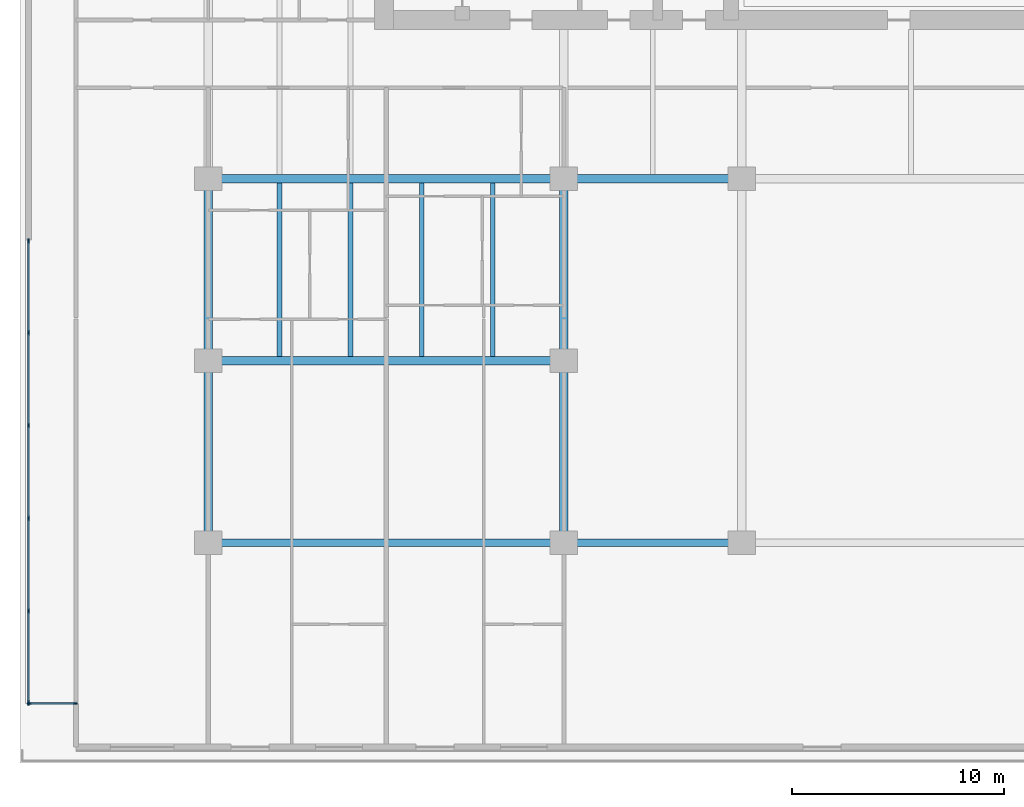
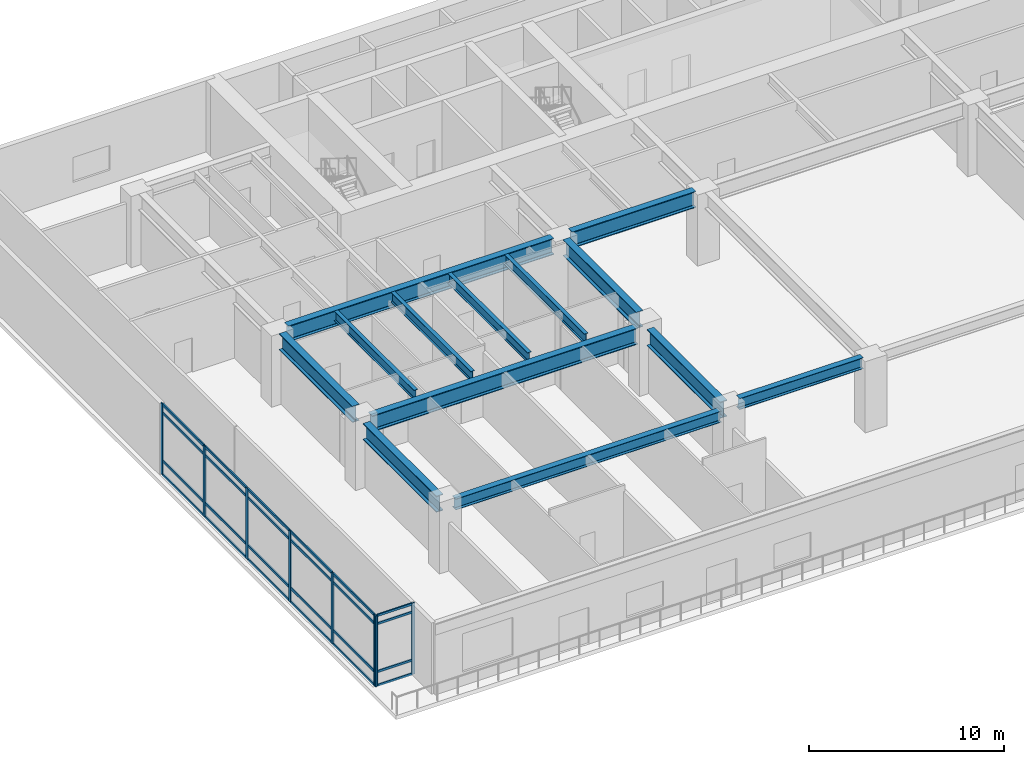
# One storey, part 2 of 13: 32 members, 13 beams, 2 elements without a shape of their own.
"""IFC4 building model written with IfcOpenShell, lengths in metres."""

from ifc_helpers import new_model, si_unit, direction, frame, origin, origin_2d, place, context, subcontext, project, spatial, rectangle, i_section, extrude, material, layer, layer_set, material_profile, profile_set, type_object, element, aggregate, save


model = new_model("IFC4")

# Units and contexts
model_context = context("Model", 3, precision=1e-05, world=origin(), true_north=direction((0.0, 1.0)))
body_context = subcontext(model_context, "Body", "Model", "MODEL_VIEW")
ifc_project = project(units=[si_unit("LENGTHUNIT", "METRE"), si_unit("AREAUNIT", "SQUARE_METRE"), si_unit("VOLUMEUNIT", "CUBIC_METRE"), si_unit("PLANEANGLEUNIT", "RADIAN"), si_unit("MASSUNIT", "GRAM", prefix="KILO")], contexts=[model_context])

# Site, building, storey
site_placement = place(None, origin())
site = spatial("IfcSite", under=ifc_project, at=site_placement, CompositionType="ELEMENT")
building_placement = place(site_placement, origin())
building = spatial("IfcBuilding", under=site, at=building_placement, Name="Caelmar Bay Residences", CompositionType="ELEMENT")
storey_placement = place(building_placement, frame((0.0, 0.0, 19.800048828125)))
storey = spatial("IfcBuildingStorey", under=building, at=storey_placement, Name="L04", CompositionType="ELEMENT", Elevation=19.800048828125)

# Beams
ifc_material_1 = material(Name="Steel ASTM A992 Grade 50", Category="steel")
ifc_material_profile_1 = material_profile(ifc_material_1, i_section(OverallWidth=0.404052734375, OverallDepth=1.02099609375, WebThickness=0.025390625, FlangeThickness=0.0458984375, FilletRadius=0.02294921875, at=origin_2d()), Name="W40X324")
ifc_profile_set_1 = profile_set([ifc_material_profile_1], Name="Steel ASTM A992 Grade 50")
beam_type_1 = type_object("IfcBeamType", Name="BM-GRD-W40X324", PredefinedType="BEAM", material=ifc_profile_set_1)
for number, where, z_axis, x_axis, name in (
    (1, (10.43994140625, 20.800048828125, 3.53955078125), (1.0, 0.0, 0.0), (0.0, 1.0, 0.0), "L04 East-West Girder Y=20.80 (9.9-26.7)"),
    (2, (10.43994140625, 29.39990234375, 3.939453125), (1.0, 0.0, 0.0), (0.0, 1.0, 0.0), "L04 East-West Girder Y=29.40 (9.9-26.7)"),
):
    element("IfcBeam", number, at=place(storey_placement, frame(where, z_axis=z_axis, x_axis=x_axis)), inside=storey, type_object=beam_type_1, Name=name, PredefinedType="BEAM", context=body_context, shape_type="SweptSolid", body=[
        extrude(i_section(OverallWidth=0.404052734375, OverallDepth=1.02099609375, WebThickness=0.025390625, FlangeThickness=0.0458984375, FilletRadius=0.02294921875, at=origin_2d()), origin(), (0.0, 0.0, 1.0), 15.719970703125),
    ])
beam_1_placement = place(storey_placement, frame((27.239990234375, 29.39990234375, 3.939453125), z_axis=(1.0, 0.0, 0.0), x_axis=(0.0, 1.0, 0.0)))
element("IfcBeam", 3, at=beam_1_placement, inside=storey, type_object=beam_type_1, Name="L04 East-West Girder Y=29.40 (26.7-35.1)", PredefinedType="BEAM", context=body_context, shape_type="SweptSolid", body=[
    extrude(i_section(OverallWidth=0.404052734375, OverallDepth=1.02099609375, WebThickness=0.025390625, FlangeThickness=0.0458984375, FilletRadius=0.02294921875, at=origin_2d()), origin(), (0.0, 0.0, 1.0), 7.320068359375),
])
for number, where, z_axis, x_axis, name in (
    (4, (9.89990234375, 12.739990234375, 3.53955078125), (0.0, 1.0, 0.0), (-1.0, 0.0, 0.0), "L04 North-South Girder X=9.90 (12.2-20.8)"),
    (5, (9.89990234375, 21.340087890625, 3.939453125), (0.0, 1.0, 0.0), (-1.0, 0.0, 0.0), "L04 North-South Girder X=9.90 (20.8-29.4)"),
    (6, (26.699951171875, 12.739990234375, 3.53955078125), (0.0, 1.0, 0.0), (-1.0, 0.0, 0.0), "L04 North-South Girder X=26.70 (12.2-20.8)"),
    (7, (26.699951171875, 21.340087890625, 3.939453125), (0.0, 1.0, 0.0), (-1.0, 0.0, 0.0), "L04 North-South Girder X=26.70 (20.8-29.4)"),
):
    element("IfcBeam", number, at=place(storey_placement, frame(where, z_axis=z_axis, x_axis=x_axis)), inside=storey, type_object=beam_type_1, Name=name, PredefinedType="BEAM", context=body_context, shape_type="SweptSolid", body=[
        extrude(i_section(OverallWidth=0.404052734375, OverallDepth=1.02099609375, WebThickness=0.025390625, FlangeThickness=0.0458984375, FilletRadius=0.02294921875, at=origin_2d()), origin(), (0.0, 0.0, 1.0), 7.52001953125),
    ])
ifc_material_profile_2 = material_profile(ifc_material_1, i_section(OverallWidth=0.22900390625, OverallDepth=0.612060546875, WebThickness=0.011962890625, FlangeThickness=0.01953125, FilletRadius=0.0126953125, at=origin_2d()), Name="W24X84")
ifc_profile_set_2 = profile_set([ifc_material_profile_2], Name="Steel ASTM A992 Grade 50")
beam_type_2 = type_object("IfcBeamType", Name="BM-JST-W24X84", PredefinedType="JOIST", material=ifc_profile_set_2)
for number, where, z_axis, x_axis, name in (
    (8, (13.260009765625, 21.001953125, 4.14404296875), (0.0, 1.0, 0.0), (-1.0, 0.0, 0.0), "L04 Composite Floor Joist 5"),
    (9, (16.6201171875, 21.001953125, 4.14404296875), (0.0, 1.0, 0.0), (-1.0, 0.0, 0.0), "L04 Composite Floor Joist 6"),
    (10, (19.97998046875, 21.001953125, 4.14404296875), (0.0, 1.0, 0.0), (-1.0, 0.0, 0.0), "L04 Composite Floor Joist 7"),
    (11, (23.340087890625, 21.001953125, 4.14404296875), (0.0, 1.0, 0.0), (-1.0, 0.0, 0.0), "L04 Composite Floor Joist 8"),
):
    element("IfcBeam", number, at=place(storey_placement, frame(where, z_axis=z_axis, x_axis=x_axis)), inside=storey, type_object=beam_type_2, Name=name, PredefinedType="JOIST", context=body_context, shape_type="SweptSolid", body=[
        extrude(i_section(OverallWidth=0.22900390625, OverallDepth=0.612060546875, WebThickness=0.011962890625, FlangeThickness=0.01953125, FilletRadius=0.0126953125, at=origin_2d()), origin(), (0.0, 0.0, 1.0), 8.196044921875),
    ])
ifc_material_profile_3 = material_profile(ifc_material_1, i_section(OverallWidth=0.35595703125, OverallDepth=0.696044921875, WebThickness=0.015380859375, FlangeThickness=0.02490234375, FilletRadius=0.01513671875, at=origin_2d()), Name="W27X146")
ifc_profile_set_3 = profile_set([ifc_material_profile_3], Name="Steel ASTM A992 Grade 50")
beam_type_3 = type_object("IfcBeamType", Name="BM-SPN-W27X146", PredefinedType="SPANDREL", material=ifc_profile_set_3)
beam_2_placement = place(storey_placement, frame((10.43994140625, 12.199951171875, 3.701904296875), z_axis=(1.0, 0.0, 0.0), x_axis=(0.0, 1.0, 0.0)))
element("IfcBeam", 12, at=beam_2_placement, inside=storey, type_object=beam_type_3, Name="L04 East-West Girder Y=12.20 (9.9-26.7)", PredefinedType="SPANDREL", context=body_context, shape_type="SweptSolid", body=[
    extrude(i_section(OverallWidth=0.35595703125, OverallDepth=0.696044921875, WebThickness=0.015380859375, FlangeThickness=0.02490234375, FilletRadius=0.01513671875, at=origin_2d()), origin(), (0.0, 0.0, 1.0), 15.719970703125),
])
beam_3_placement = place(storey_placement, frame((27.239990234375, 12.199951171875, 4.10205078125), z_axis=(1.0, 0.0, 0.0), x_axis=(0.0, 1.0, 0.0)))
element("IfcBeam", 13, at=beam_3_placement, inside=storey, type_object=beam_type_3, Name="L04 East-West Girder Y=12.20 (26.7-35.1)", PredefinedType="SPANDREL", context=body_context, shape_type="SweptSolid", body=[
    extrude(i_section(OverallWidth=0.35595703125, OverallDepth=0.696044921875, WebThickness=0.015380859375, FlangeThickness=0.02490234375, FilletRadius=0.01513671875, at=origin_2d()), origin(), (0.0, 0.0, 1.0), 7.320068359375),
])

# Curtain wall, members
ifc_material_2 = material(Name="Anodised bronze aluminium 6063-T6 and laminated glass", Category="aluminium")
ifc_layer_1 = layer(ifc_material_2, 0.179931640625)
ifc_layer_set_1 = layer_set([ifc_layer_1], Name="Anodised bronze aluminium 6063-T6 and laminated glass")
curtain_wall_type_1 = type_object("IfcCurtainWallType", Name="CW6-NTC", PredefinedType="NOTDEFINED", material=ifc_layer_set_1)
curtain_wall_1_placement = place(storey_placement, origin())
curtain_wall_1 = element("IfcCurtainWall", 14, at=curtain_wall_1_placement, inside=storey, type_object=curtain_wall_type_1, Name="CW6 curtain wall L04", PredefinedType="NOTDEFINED")
ifc_material_3 = material(Name="Anodised bronze aluminium 6063-T6", Category="aluminium")
ifc_material_profile_4 = material_profile(ifc_material_3, rectangle(XDim=0.080078125, YDim=0.179931640625, at=origin_2d()), Name="CWM-80X180")
ifc_profile_set_4 = profile_set([ifc_material_profile_4], Name="Anodised bronze aluminium 6063-T6")
member_type_1 = type_object("IfcMemberType", Name="CWM-180", PredefinedType="MULLION", material=ifc_profile_set_4)
member_1_placement = place(storey_placement, frame((1.43994140625, 4.60009765625, 0.0), z_axis=(0.0, 0.0, 1.0), x_axis=(0.0, 1.0, 0.0)))
member_1 = element("IfcMember", 15, at=member_1_placement, type_object=member_type_1, Name="CW6 mullion 1", PredefinedType="MULLION", context=body_context, shape_type="SweptSolid", body=[
    extrude(rectangle(XDim=0.080078125, YDim=0.179931640625, at=origin_2d()), origin(), (0.0, 0.0, 1.0), 4.449951171875),
])
member_2_placement = place(storey_placement, frame((3.610107421875, 4.60009765625, 0.0), z_axis=(0.0, 0.0, 1.0), x_axis=(0.0, 1.0, 0.0)))
member_2 = element("IfcMember", 16, at=member_2_placement, type_object=member_type_1, Name="CW6 mullion 2", PredefinedType="MULLION", context=body_context, shape_type="SweptSolid", body=[
    extrude(rectangle(XDim=0.080078125, YDim=0.179931640625, at=origin_2d()), origin(), (0.0, 0.0, 1.0), 4.449951171875),
])

ifc_layer_2 = layer(ifc_material_2, 0.179931640625)
ifc_layer_set_2 = layer_set([ifc_layer_2], Name="Anodised bronze aluminium 6063-T6 and laminated glass")
curtain_wall_type_2 = type_object("IfcCurtainWallType", Name="CW1-POD", PredefinedType="NOTDEFINED", material=ifc_layer_set_2)
curtain_wall_2_placement = place(storey_placement, origin())
curtain_wall_2 = element("IfcCurtainWall", 17, at=curtain_wall_2_placement, inside=storey, type_object=curtain_wall_type_2, Name="CW1 curtain wall L04", PredefinedType="NOTDEFINED")
ifc_material_profile_5 = material_profile(ifc_material_3, rectangle(XDim=0.080078125, YDim=0.219970703125, at=origin_2d()), Name="CWM-80X220")
ifc_profile_set_5 = profile_set([ifc_material_profile_5], Name="Anodised bronze aluminium 6063-T6")
member_type_2 = type_object("IfcMemberType", Name="CWM-220", PredefinedType="MULLION", material=ifc_profile_set_5)
member_3_placement = place(storey_placement, frame((1.39990234375, 4.639892578125, 0.0), z_axis=(0.0, 0.0, 1.0), x_axis=(-1.0, 0.0, 0.0)))
member_3 = element("IfcMember", 18, at=member_3_placement, type_object=member_type_2, Name="CW1 mullion 1", PredefinedType="MULLION", context=body_context, shape_type="SweptSolid", body=[
    extrude(rectangle(XDim=0.080078125, YDim=0.219970703125, at=origin_2d()), origin(), (0.0, 0.0, 1.0), 4.449951171875),
])
member_4_placement = place(storey_placement, frame((1.39990234375, 8.97998046875, 0.0), z_axis=(0.0, 0.0, 1.0), x_axis=(-1.0, 0.0, 0.0)))
member_4 = element("IfcMember", 19, at=member_4_placement, type_object=member_type_2, Name="CW1 mullion 2", PredefinedType="MULLION", context=body_context, shape_type="SweptSolid", body=[
    extrude(rectangle(XDim=0.080078125, YDim=0.219970703125, at=origin_2d()), origin(), (0.0, 0.0, 1.0), 4.449951171875),
])
member_5_placement = place(storey_placement, frame((1.39990234375, 13.360107421875, 0.0), z_axis=(0.0, 0.0, 1.0), x_axis=(-1.0, 0.0, 0.0)))
member_5 = element("IfcMember", 20, at=member_5_placement, type_object=member_type_2, Name="CW1 mullion 3", PredefinedType="MULLION", context=body_context, shape_type="SweptSolid", body=[
    extrude(rectangle(XDim=0.080078125, YDim=0.219970703125, at=origin_2d()), origin(), (0.0, 0.0, 1.0), 4.449951171875),
])
member_6_placement = place(storey_placement, frame((1.39990234375, 17.739990234375, 0.0), z_axis=(0.0, 0.0, 1.0), x_axis=(-1.0, 0.0, 0.0)))
member_6 = element("IfcMember", 21, at=member_6_placement, type_object=member_type_2, Name="CW1 mullion 4", PredefinedType="MULLION", context=body_context, shape_type="SweptSolid", body=[
    extrude(rectangle(XDim=0.080078125, YDim=0.219970703125, at=origin_2d()), origin(), (0.0, 0.0, 1.0), 4.449951171875),
])
member_7_placement = place(storey_placement, frame((1.39990234375, 22.1201171875, 0.0), z_axis=(0.0, 0.0, 1.0), x_axis=(-1.0, 0.0, 0.0)))
member_7 = element("IfcMember", 22, at=member_7_placement, type_object=member_type_2, Name="CW1 mullion 5", PredefinedType="MULLION", context=body_context, shape_type="SweptSolid", body=[
    extrude(rectangle(XDim=0.080078125, YDim=0.219970703125, at=origin_2d()), origin(), (0.0, 0.0, 1.0), 4.449951171875),
])
member_8_placement = place(storey_placement, frame((1.39990234375, 26.4599609375, 0.0), z_axis=(0.0, 0.0, 1.0), x_axis=(-1.0, 0.0, 0.0)))
member_8 = element("IfcMember", 23, at=member_8_placement, type_object=member_type_2, Name="CW1 mullion 6", PredefinedType="MULLION", context=body_context, shape_type="SweptSolid", body=[
    extrude(rectangle(XDim=0.080078125, YDim=0.219970703125, at=origin_2d()), origin(), (0.0, 0.0, 1.0), 4.449951171875),
])

# Member
ifc_material_profile_6 = material_profile(ifc_material_3, rectangle(XDim=0.080078125, YDim=0.139892578125, at=origin_2d()), Name="CWT-80X140")
ifc_profile_set_6 = profile_set([ifc_material_profile_6], Name="Anodised bronze aluminium 6063-T6")
member_type_3 = type_object("IfcMemberType", Name="CWT-140", PredefinedType="NOTDEFINED", material=ifc_profile_set_6)
member_9_placement = place(storey_placement, frame((1.47998046875, 4.60009765625, 0.0400390625), z_axis=(1.0, 0.0, 0.0), x_axis=(0.0, 1.0, 0.0)))
member_9 = element("IfcMember", 24, at=member_9_placement, type_object=member_type_3, Name="CW6 transom 1.1", ObjectType="TRANSOM", PredefinedType="USERDEFINED", context=body_context, shape_type="SweptSolid", body=[
    extrude(rectangle(XDim=0.080078125, YDim=0.139892578125, at=origin_2d()), origin(), (0.0, 0.0, 1.0), 2.090087890625),
])

member_10_placement = place(storey_placement, frame((1.47998046875, 4.60009765625, 0.89990234375), z_axis=(1.0, 0.0, 0.0), x_axis=(0.0, 1.0, 0.0)))
member_10 = element("IfcMember", 25, at=member_10_placement, type_object=member_type_3, Name="CW6 transom 1.2", ObjectType="TRANSOM", PredefinedType="USERDEFINED", context=body_context, shape_type="SweptSolid", body=[
    extrude(rectangle(XDim=0.080078125, YDim=0.139892578125, at=origin_2d()), origin(), (0.0, 0.0, 1.0), 2.090087890625),
])

member_11_placement = place(storey_placement, frame((1.47998046875, 4.60009765625, 3.89990234375), z_axis=(1.0, 0.0, 0.0), x_axis=(0.0, 1.0, 0.0)))
member_11 = element("IfcMember", 26, at=member_11_placement, type_object=member_type_3, Name="CW6 transom 1.3", ObjectType="TRANSOM", PredefinedType="USERDEFINED", context=body_context, shape_type="SweptSolid", body=[
    extrude(rectangle(XDim=0.080078125, YDim=0.139892578125, at=origin_2d()), origin(), (0.0, 0.0, 1.0), 2.090087890625),
])

member_12_placement = place(storey_placement, frame((1.47998046875, 4.60009765625, 4.409912109375), z_axis=(1.0, 0.0, 0.0), x_axis=(0.0, 1.0, 0.0)))
member_12 = element("IfcMember", 27, at=member_12_placement, type_object=member_type_3, Name="CW6 transom 1.4", ObjectType="TRANSOM", PredefinedType="USERDEFINED", context=body_context, shape_type="SweptSolid", body=[
    extrude(rectangle(XDim=0.080078125, YDim=0.139892578125, at=origin_2d()), origin(), (0.0, 0.0, 1.0), 2.090087890625),
])

aggregate(curtain_wall_1, [member_1, member_2, member_9, member_10, member_11, member_12])

ifc_material_profile_7 = material_profile(ifc_material_3, rectangle(XDim=0.080078125, YDim=0.159912109375, at=origin_2d()), Name="CWT-80X160")
ifc_profile_set_7 = profile_set([ifc_material_profile_7], Name="Anodised bronze aluminium 6063-T6")
member_type_4 = type_object("IfcMemberType", Name="CWT-160", PredefinedType="NOTDEFINED", material=ifc_profile_set_7)
member_13_placement = place(storey_placement, frame((1.39990234375, 4.679931640625, 0.0400390625), z_axis=(0.0, 1.0, 0.0), x_axis=(-1.0, 0.0, 0.0)))
member_13 = element("IfcMember", 28, at=member_13_placement, type_object=member_type_4, Name="CW1 transom 1.1", ObjectType="TRANSOM", PredefinedType="USERDEFINED", context=body_context, shape_type="SweptSolid", body=[
    extrude(rectangle(XDim=0.080078125, YDim=0.159912109375, at=origin_2d()), origin(), (0.0, 0.0, 1.0), 4.260009765625),
])

member_14_placement = place(storey_placement, frame((1.39990234375, 4.679931640625, 0.89990234375), z_axis=(0.0, 1.0, 0.0), x_axis=(-1.0, 0.0, 0.0)))
member_14 = element("IfcMember", 29, at=member_14_placement, type_object=member_type_4, Name="CW1 transom 1.2", ObjectType="TRANSOM", PredefinedType="USERDEFINED", context=body_context, shape_type="SweptSolid", body=[
    extrude(rectangle(XDim=0.080078125, YDim=0.159912109375, at=origin_2d()), origin(), (0.0, 0.0, 1.0), 4.260009765625),
])

member_15_placement = place(storey_placement, frame((1.39990234375, 4.679931640625, 3.89990234375), z_axis=(0.0, 1.0, 0.0), x_axis=(-1.0, 0.0, 0.0)))
member_15 = element("IfcMember", 30, at=member_15_placement, type_object=member_type_4, Name="CW1 transom 1.3", ObjectType="TRANSOM", PredefinedType="USERDEFINED", context=body_context, shape_type="SweptSolid", body=[
    extrude(rectangle(XDim=0.080078125, YDim=0.159912109375, at=origin_2d()), origin(), (0.0, 0.0, 1.0), 4.260009765625),
])

member_16_placement = place(storey_placement, frame((1.39990234375, 4.679931640625, 4.409912109375), z_axis=(0.0, 1.0, 0.0), x_axis=(-1.0, 0.0, 0.0)))
member_16 = element("IfcMember", 31, at=member_16_placement, type_object=member_type_4, Name="CW1 transom 1.4", ObjectType="TRANSOM", PredefinedType="USERDEFINED", context=body_context, shape_type="SweptSolid", body=[
    extrude(rectangle(XDim=0.080078125, YDim=0.159912109375, at=origin_2d()), origin(), (0.0, 0.0, 1.0), 4.260009765625),
])

member_17_placement = place(storey_placement, frame((1.39990234375, 9.02001953125, 0.0400390625), z_axis=(0.0, 1.0, 0.0), x_axis=(-1.0, 0.0, 0.0)))
member_17 = element("IfcMember", 32, at=member_17_placement, type_object=member_type_4, Name="CW1 transom 2.1", ObjectType="TRANSOM", PredefinedType="USERDEFINED", context=body_context, shape_type="SweptSolid", body=[
    extrude(rectangle(XDim=0.080078125, YDim=0.159912109375, at=origin_2d()), origin(), (0.0, 0.0, 1.0), 4.300048828125),
])

member_18_placement = place(storey_placement, frame((1.39990234375, 9.02001953125, 0.89990234375), z_axis=(0.0, 1.0, 0.0), x_axis=(-1.0, 0.0, 0.0)))
member_18 = element("IfcMember", 33, at=member_18_placement, type_object=member_type_4, Name="CW1 transom 2.2", ObjectType="TRANSOM", PredefinedType="USERDEFINED", context=body_context, shape_type="SweptSolid", body=[
    extrude(rectangle(XDim=0.080078125, YDim=0.159912109375, at=origin_2d()), origin(), (0.0, 0.0, 1.0), 4.300048828125),
])

member_19_placement = place(storey_placement, frame((1.39990234375, 9.02001953125, 3.89990234375), z_axis=(0.0, 1.0, 0.0), x_axis=(-1.0, 0.0, 0.0)))
member_19 = element("IfcMember", 34, at=member_19_placement, type_object=member_type_4, Name="CW1 transom 2.3", ObjectType="TRANSOM", PredefinedType="USERDEFINED", context=body_context, shape_type="SweptSolid", body=[
    extrude(rectangle(XDim=0.080078125, YDim=0.159912109375, at=origin_2d()), origin(), (0.0, 0.0, 1.0), 4.300048828125),
])

member_20_placement = place(storey_placement, frame((1.39990234375, 9.02001953125, 4.409912109375), z_axis=(0.0, 1.0, 0.0), x_axis=(-1.0, 0.0, 0.0)))
member_20 = element("IfcMember", 35, at=member_20_placement, type_object=member_type_4, Name="CW1 transom 2.4", ObjectType="TRANSOM", PredefinedType="USERDEFINED", context=body_context, shape_type="SweptSolid", body=[
    extrude(rectangle(XDim=0.080078125, YDim=0.159912109375, at=origin_2d()), origin(), (0.0, 0.0, 1.0), 4.300048828125),
])

member_21_placement = place(storey_placement, frame((1.39990234375, 13.39990234375, 0.0400390625), z_axis=(0.0, 1.0, 0.0), x_axis=(-1.0, 0.0, 0.0)))
member_21 = element("IfcMember", 36, at=member_21_placement, type_object=member_type_4, Name="CW1 transom 3.1", ObjectType="TRANSOM", PredefinedType="USERDEFINED", context=body_context, shape_type="SweptSolid", body=[
    extrude(rectangle(XDim=0.080078125, YDim=0.159912109375, at=origin_2d()), origin(), (0.0, 0.0, 1.0), 4.300048828125),
])

member_22_placement = place(storey_placement, frame((1.39990234375, 13.39990234375, 0.89990234375), z_axis=(0.0, 1.0, 0.0), x_axis=(-1.0, 0.0, 0.0)))
member_22 = element("IfcMember", 37, at=member_22_placement, type_object=member_type_4, Name="CW1 transom 3.2", ObjectType="TRANSOM", PredefinedType="USERDEFINED", context=body_context, shape_type="SweptSolid", body=[
    extrude(rectangle(XDim=0.080078125, YDim=0.159912109375, at=origin_2d()), origin(), (0.0, 0.0, 1.0), 4.300048828125),
])

member_23_placement = place(storey_placement, frame((1.39990234375, 13.39990234375, 3.89990234375), z_axis=(0.0, 1.0, 0.0), x_axis=(-1.0, 0.0, 0.0)))
member_23 = element("IfcMember", 38, at=member_23_placement, type_object=member_type_4, Name="CW1 transom 3.3", ObjectType="TRANSOM", PredefinedType="USERDEFINED", context=body_context, shape_type="SweptSolid", body=[
    extrude(rectangle(XDim=0.080078125, YDim=0.159912109375, at=origin_2d()), origin(), (0.0, 0.0, 1.0), 4.300048828125),
])

member_24_placement = place(storey_placement, frame((1.39990234375, 13.39990234375, 4.409912109375), z_axis=(0.0, 1.0, 0.0), x_axis=(-1.0, 0.0, 0.0)))
member_24 = element("IfcMember", 39, at=member_24_placement, type_object=member_type_4, Name="CW1 transom 3.4", ObjectType="TRANSOM", PredefinedType="USERDEFINED", context=body_context, shape_type="SweptSolid", body=[
    extrude(rectangle(XDim=0.080078125, YDim=0.159912109375, at=origin_2d()), origin(), (0.0, 0.0, 1.0), 4.300048828125),
])

member_25_placement = place(storey_placement, frame((1.39990234375, 17.780029296875, 0.0400390625), z_axis=(0.0, 1.0, 0.0), x_axis=(-1.0, 0.0, 0.0)))
member_25 = element("IfcMember", 40, at=member_25_placement, type_object=member_type_4, Name="CW1 transom 4.1", ObjectType="TRANSOM", PredefinedType="USERDEFINED", context=body_context, shape_type="SweptSolid", body=[
    extrude(rectangle(XDim=0.080078125, YDim=0.159912109375, at=origin_2d()), origin(), (0.0, 0.0, 1.0), 4.300048828125),
])

member_26_placement = place(storey_placement, frame((1.39990234375, 17.780029296875, 0.89990234375), z_axis=(0.0, 1.0, 0.0), x_axis=(-1.0, 0.0, 0.0)))
member_26 = element("IfcMember", 41, at=member_26_placement, type_object=member_type_4, Name="CW1 transom 4.2", ObjectType="TRANSOM", PredefinedType="USERDEFINED", context=body_context, shape_type="SweptSolid", body=[
    extrude(rectangle(XDim=0.080078125, YDim=0.159912109375, at=origin_2d()), origin(), (0.0, 0.0, 1.0), 4.300048828125),
])

member_27_placement = place(storey_placement, frame((1.39990234375, 17.780029296875, 3.89990234375), z_axis=(0.0, 1.0, 0.0), x_axis=(-1.0, 0.0, 0.0)))
member_27 = element("IfcMember", 42, at=member_27_placement, type_object=member_type_4, Name="CW1 transom 4.3", ObjectType="TRANSOM", PredefinedType="USERDEFINED", context=body_context, shape_type="SweptSolid", body=[
    extrude(rectangle(XDim=0.080078125, YDim=0.159912109375, at=origin_2d()), origin(), (0.0, 0.0, 1.0), 4.300048828125),
])

member_28_placement = place(storey_placement, frame((1.39990234375, 17.780029296875, 4.409912109375), z_axis=(0.0, 1.0, 0.0), x_axis=(-1.0, 0.0, 0.0)))
member_28 = element("IfcMember", 43, at=member_28_placement, type_object=member_type_4, Name="CW1 transom 4.4", ObjectType="TRANSOM", PredefinedType="USERDEFINED", context=body_context, shape_type="SweptSolid", body=[
    extrude(rectangle(XDim=0.080078125, YDim=0.159912109375, at=origin_2d()), origin(), (0.0, 0.0, 1.0), 4.300048828125),
])

member_29_placement = place(storey_placement, frame((1.39990234375, 22.159912109375, 0.0400390625), z_axis=(0.0, 1.0, 0.0), x_axis=(-1.0, 0.0, 0.0)))
member_29 = element("IfcMember", 44, at=member_29_placement, type_object=member_type_4, Name="CW1 transom 5.1", ObjectType="TRANSOM", PredefinedType="USERDEFINED", context=body_context, shape_type="SweptSolid", body=[
    extrude(rectangle(XDim=0.080078125, YDim=0.159912109375, at=origin_2d()), origin(), (0.0, 0.0, 1.0), 4.260009765625),
])

member_30_placement = place(storey_placement, frame((1.39990234375, 22.159912109375, 0.89990234375), z_axis=(0.0, 1.0, 0.0), x_axis=(-1.0, 0.0, 0.0)))
member_30 = element("IfcMember", 45, at=member_30_placement, type_object=member_type_4, Name="CW1 transom 5.2", ObjectType="TRANSOM", PredefinedType="USERDEFINED", context=body_context, shape_type="SweptSolid", body=[
    extrude(rectangle(XDim=0.080078125, YDim=0.159912109375, at=origin_2d()), origin(), (0.0, 0.0, 1.0), 4.260009765625),
])

member_31_placement = place(storey_placement, frame((1.39990234375, 22.159912109375, 3.89990234375), z_axis=(0.0, 1.0, 0.0), x_axis=(-1.0, 0.0, 0.0)))
member_31 = element("IfcMember", 46, at=member_31_placement, type_object=member_type_4, Name="CW1 transom 5.3", ObjectType="TRANSOM", PredefinedType="USERDEFINED", context=body_context, shape_type="SweptSolid", body=[
    extrude(rectangle(XDim=0.080078125, YDim=0.159912109375, at=origin_2d()), origin(), (0.0, 0.0, 1.0), 4.260009765625),
])

member_32_placement = place(storey_placement, frame((1.39990234375, 22.159912109375, 4.409912109375), z_axis=(0.0, 1.0, 0.0), x_axis=(-1.0, 0.0, 0.0)))
member_32 = element("IfcMember", 47, at=member_32_placement, type_object=member_type_4, Name="CW1 transom 5.4", ObjectType="TRANSOM", PredefinedType="USERDEFINED", context=body_context, shape_type="SweptSolid", body=[
    extrude(rectangle(XDim=0.080078125, YDim=0.159912109375, at=origin_2d()), origin(), (0.0, 0.0, 1.0), 4.260009765625),
])

aggregate(curtain_wall_2, [member_3, member_4, member_5, member_6, member_7, member_8, member_13, member_14, member_15, member_16, member_17, member_18, member_19, member_20, member_21, member_22, member_23, member_24, member_25, member_26, member_27, member_28, member_29, member_30, member_31, member_32])

save(model, "model.ifc")
